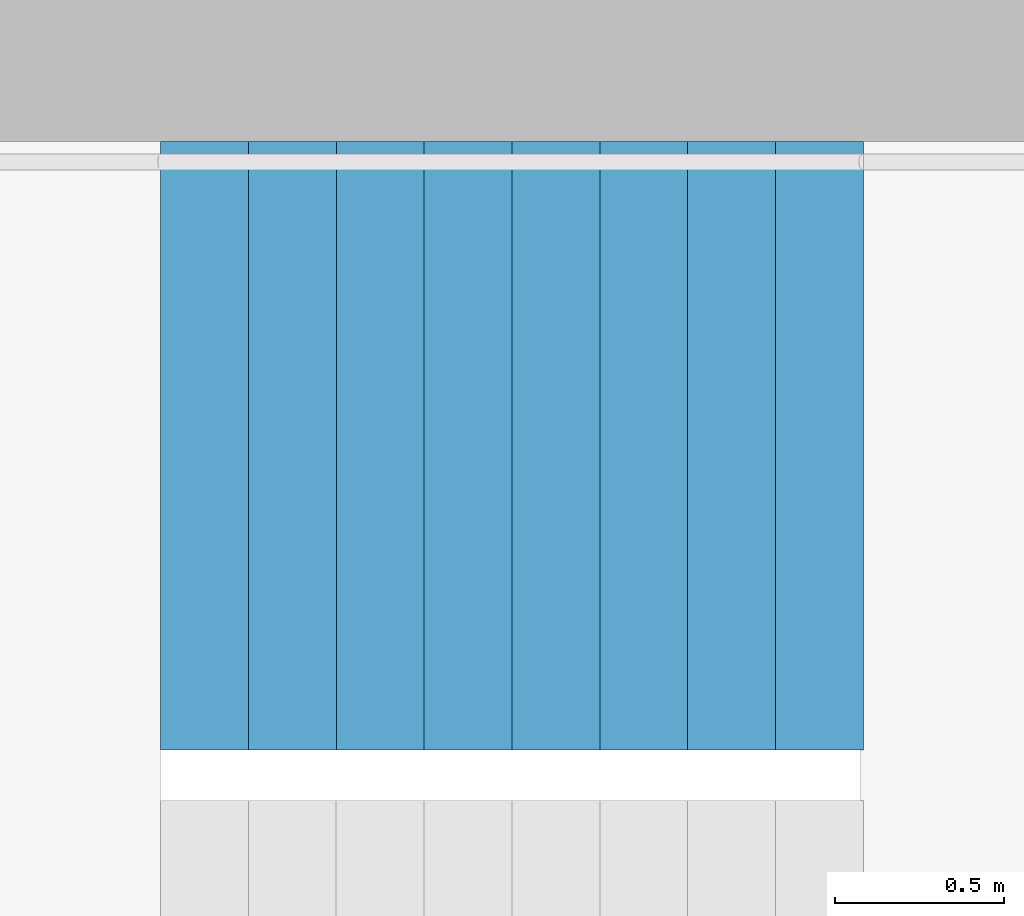
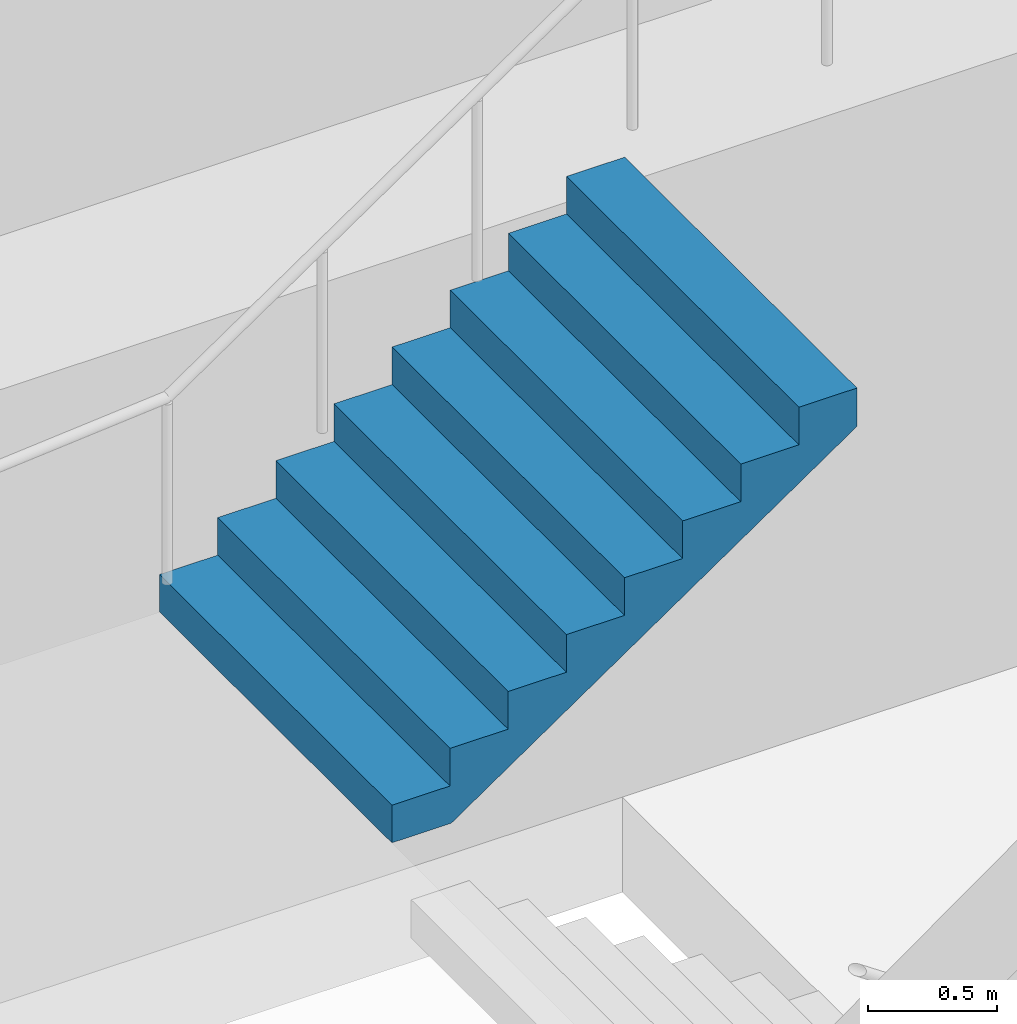
# One storey, part 25 of 26: 1 stair flight, 1 element without a shape of its own.
"""IFC4 building model written with IfcOpenShell, lengths in metres."""

from ifc_helpers import new_model, si_unit, direction, frame, origin, place, context, subcontext, project, spatial, triangles, material, type_object, element, aggregate, save


model = new_model("IFC4")

# Units and contexts
model_context = context("Model", 3, precision=1e-05, world=origin(), true_north=direction((0.0, 1.0)))
body_context = subcontext(model_context, "Body", "Model", "MODEL_VIEW")
ifc_project = project(units=[si_unit("LENGTHUNIT", "METRE"), si_unit("AREAUNIT", "SQUARE_METRE"), si_unit("VOLUMEUNIT", "CUBIC_METRE"), si_unit("PLANEANGLEUNIT", "RADIAN"), si_unit("MASSUNIT", "GRAM", prefix="KILO")], contexts=[model_context])

# Site, building, storey
site_placement = place(None, origin())
site = spatial("IfcSite", under=ifc_project, at=site_placement, CompositionType="ELEMENT")
building_placement = place(site_placement, origin())
building = spatial("IfcBuilding", under=site, at=building_placement, Name="Hakoniwa Tower and Hamabe Station Hall", CompositionType="ELEMENT")
storey_placement = place(building_placement, frame((0.0, 0.0, 172.60009765625)))
storey = spatial("IfcBuildingStorey", under=building, at=storey_placement, Name="L49", CompositionType="ELEMENT", Elevation=172.60009765625)

# Stair, stair flight
ifc_material_1 = material(Name="Concrete C40", Category="concrete")
stair_type = type_object("IfcStairType", Name="ESCAPE STAIR 1800", PredefinedType="HALF_TURN_STAIR", material=ifc_material_1)
stair_placement = place(storey_placement, origin())
stair = element("IfcStair", 1, at=stair_placement, inside=storey, type_object=stair_type, Name="Escape stair ST-3 L49", PredefinedType="HALF_TURN_STAIR")
ifc_material_2 = material(Name="Concrete C40", Category="concrete")
stair_flight_type = type_object("IfcStairFlightType", Name="STAIR FLIGHT 1800", PredefinedType="STRAIGHT", material=ifc_material_2)
stair_flight_placement = place(storey_placement, frame((22.320068359375, 6.60009765625, 1.599853515625), z_axis=(0.0, 0.0, 1.0), x_axis=(1.0, 0.0, 0.0)))
stair_flight = element("IfcStairFlight", 2, at=stair_flight_placement, type_object=stair_flight_type, Name="ST-3 flight 2", NumberOfRisers=9, NumberOfTreads=8, PredefinedType="STRAIGHT", RiserHeight=0.177777778, TreadLength=0.26, context=body_context, shape_type="Tessellation", body=[
    triangles([(0.0, 0.89990234375, 0.0), (0.260009765625, 0.89990234375, 0.0), (0.265625, 0.89990234375, 0.0), (0.52001953125, 0.89990234375, 0.174072265625), (0.780029296875, 0.89990234375, 0.351806640625), (1.0400390625, 0.89990234375, 0.529541015625), (1.300048828125, 0.89990234375, 0.707275390625), (1.56005859375, 0.89990234375, 0.885009765625), (1.820068359375, 0.89990234375, 1.062744140625), (2.080078125, 0.89990234375, 1.24072265625), (2.080078125, 0.89990234375, 1.422119140625), (1.820068359375, 0.89990234375, 1.422119140625), (1.820068359375, 0.89990234375, 1.244384765625), (1.56005859375, 0.89990234375, 1.244384765625), (1.56005859375, 0.89990234375, 1.066650390625), (1.300048828125, 0.89990234375, 1.066650390625), (1.300048828125, 0.89990234375, 0.888916015625), (1.0400390625, 0.89990234375, 0.888916015625), (1.0400390625, 0.89990234375, 0.711181640625), (0.780029296875, 0.89990234375, 0.711181640625), (0.780029296875, 0.89990234375, 0.533447265625), (0.52001953125, 0.89990234375, 0.533447265625), (0.52001953125, 0.89990234375, 0.35546875), (0.265625, 0.89990234375, 0.35546875), (0.260009765625, 0.89990234375, 0.35546875), (0.260009765625, 0.89990234375, 0.177734375), (0.0, 0.89990234375, 0.177734375), (0.0, 0.06005859375, 0.0), (0.260009765625, 0.06005859375, 0.0), (0.265625, 0.06005859375, 0.0), (0.52001953125, 0.06005859375, 0.174072265625), (0.780029296875, 0.06005859375, 0.351806640625), (1.0400390625, 0.06005859375, 0.529541015625), (1.300048828125, 0.06005859375, 0.707275390625), (1.56005859375, 0.06005859375, 0.885009765625), (1.820068359375, 0.06005859375, 1.062744140625), (2.080078125, 0.06005859375, 1.24072265625), (2.080078125, 0.06005859375, 1.422119140625), (1.820068359375, 0.06005859375, 1.422119140625), (1.820068359375, 0.06005859375, 1.244384765625), (1.56005859375, 0.06005859375, 1.244384765625), (1.56005859375, 0.06005859375, 1.066650390625), (1.300048828125, 0.06005859375, 1.066650390625), (1.300048828125, 0.06005859375, 0.888916015625), (1.0400390625, 0.06005859375, 0.888916015625), (1.0400390625, 0.06005859375, 0.711181640625), (0.780029296875, 0.06005859375, 0.711181640625), (0.780029296875, 0.06005859375, 0.533447265625), (0.52001953125, 0.06005859375, 0.533447265625), (0.52001953125, 0.06005859375, 0.35546875), (0.265625, 0.06005859375, 0.35546875), (0.260009765625, 0.06005859375, 0.35546875), (0.260009765625, 0.06005859375, 0.177734375), (0.0, 0.06005859375, 0.177734375), (0.0, 0.04296875, 0.0), (0.260009765625, 0.04296875, 0.0), (0.265625, 0.04296875, 0.0), (0.52001953125, 0.04296875, 0.174072265625), (0.780029296875, 0.04296875, 0.351806640625), (1.0400390625, 0.04296875, 0.529541015625), (1.300048828125, 0.04296875, 0.707275390625), (1.56005859375, 0.04296875, 0.885009765625), (1.820068359375, 0.04296875, 1.062744140625), (2.080078125, 0.04296875, 1.24072265625), (2.080078125, 0.04296875, 1.422119140625), (1.820068359375, 0.04296875, 1.422119140625), (1.820068359375, 0.04296875, 1.244384765625), (1.56005859375, 0.04296875, 1.244384765625), (1.56005859375, 0.04296875, 1.066650390625), (1.300048828125, 0.04296875, 1.066650390625), (1.300048828125, 0.04296875, 0.888916015625), (1.0400390625, 0.04296875, 0.888916015625), (1.0400390625, 0.04296875, 0.711181640625), (0.780029296875, 0.04296875, 0.711181640625), (0.780029296875, 0.04296875, 0.533447265625), (0.52001953125, 0.04296875, 0.533447265625), (0.52001953125, 0.04296875, 0.35546875), (0.265625, 0.04296875, 0.35546875), (0.260009765625, 0.04296875, 0.35546875), (0.260009765625, 0.04296875, 0.177734375), (0.0, 0.04296875, 0.177734375), (0.0, 0.025634765625, 0.0), (0.260009765625, 0.025634765625, 0.0), (0.265625, 0.025634765625, 0.0), (0.52001953125, 0.025634765625, 0.174072265625), (0.780029296875, 0.025634765625, 0.351806640625), (1.0400390625, 0.025634765625, 0.529541015625), (1.300048828125, 0.025634765625, 0.707275390625), (1.56005859375, 0.025634765625, 0.885009765625), (1.820068359375, 0.025634765625, 1.062744140625), (2.080078125, 0.025634765625, 1.24072265625), (2.080078125, 0.025634765625, 1.422119140625), (1.820068359375, 0.025634765625, 1.422119140625), (1.820068359375, 0.025634765625, 1.244384765625), (1.56005859375, 0.025634765625, 1.244384765625), (1.56005859375, 0.025634765625, 1.066650390625), (1.300048828125, 0.025634765625, 1.066650390625), (1.300048828125, 0.025634765625, 0.888916015625), (1.0400390625, 0.025634765625, 0.888916015625), (1.0400390625, 0.025634765625, 0.711181640625), (0.780029296875, 0.025634765625, 0.711181640625), (0.780029296875, 0.025634765625, 0.533447265625), (0.52001953125, 0.025634765625, 0.533447265625), (0.52001953125, 0.025634765625, 0.35546875), (0.265625, 0.025634765625, 0.35546875), (0.260009765625, 0.025634765625, 0.35546875), (0.260009765625, 0.025634765625, 0.177734375), (0.0, 0.025634765625, 0.177734375), (0.0, 0.008544921875, 0.0), (0.260009765625, 0.008544921875, 0.0), (0.265625, 0.008544921875, 0.0), (0.52001953125, 0.008544921875, 0.174072265625), (0.780029296875, 0.008544921875, 0.351806640625), (1.0400390625, 0.008544921875, 0.529541015625), (1.300048828125, 0.008544921875, 0.707275390625), (1.56005859375, 0.008544921875, 0.885009765625), (1.820068359375, 0.008544921875, 1.062744140625), (2.080078125, 0.008544921875, 1.24072265625), (2.080078125, 0.008544921875, 1.422119140625), (1.820068359375, 0.008544921875, 1.422119140625), (1.820068359375, 0.008544921875, 1.244384765625), (1.56005859375, 0.008544921875, 1.244384765625), (1.56005859375, 0.008544921875, 1.066650390625), (1.300048828125, 0.008544921875, 1.066650390625), (1.300048828125, 0.008544921875, 0.888916015625), (1.0400390625, 0.008544921875, 0.888916015625), (1.0400390625, 0.008544921875, 0.711181640625), (0.780029296875, 0.008544921875, 0.711181640625), (0.780029296875, 0.008544921875, 0.533447265625), (0.52001953125, 0.008544921875, 0.533447265625), (0.52001953125, 0.008544921875, 0.35546875), (0.265625, 0.008544921875, 0.35546875), (0.260009765625, 0.008544921875, 0.35546875), (0.260009765625, 0.008544921875, 0.177734375), (0.0, 0.008544921875, 0.177734375), (0.0, -0.008544921875, 0.0), (0.260009765625, -0.008544921875, 0.0), (0.265625, -0.008544921875, 0.0), (0.52001953125, -0.008544921875, 0.174072265625), (0.780029296875, -0.008544921875, 0.351806640625), (1.0400390625, -0.008544921875, 0.529541015625), (1.300048828125, -0.008544921875, 0.707275390625), (1.56005859375, -0.008544921875, 0.885009765625), (1.820068359375, -0.008544921875, 1.062744140625), (2.080078125, -0.008544921875, 1.24072265625), (2.080078125, -0.008544921875, 1.422119140625), (1.820068359375, -0.008544921875, 1.422119140625), (1.820068359375, -0.008544921875, 1.244384765625), (1.56005859375, -0.008544921875, 1.244384765625), (1.56005859375, -0.008544921875, 1.066650390625), (1.300048828125, -0.008544921875, 1.066650390625), (1.300048828125, -0.008544921875, 0.888916015625), (1.0400390625, -0.008544921875, 0.888916015625), (1.0400390625, -0.008544921875, 0.711181640625), (0.780029296875, -0.008544921875, 0.711181640625), (0.780029296875, -0.008544921875, 0.533447265625), (0.52001953125, -0.008544921875, 0.533447265625), (0.52001953125, -0.008544921875, 0.35546875), (0.265625, -0.008544921875, 0.35546875), (0.260009765625, -0.008544921875, 0.35546875), (0.260009765625, -0.008544921875, 0.177734375), (0.0, -0.008544921875, 0.177734375), (0.0, -0.025634765625, 0.0), (0.260009765625, -0.025634765625, 0.0), (0.265625, -0.025634765625, 0.0), (0.52001953125, -0.025634765625, 0.174072265625), (0.780029296875, -0.025634765625, 0.351806640625), (1.0400390625, -0.025634765625, 0.529541015625), (1.300048828125, -0.025634765625, 0.707275390625), (1.56005859375, -0.025634765625, 0.885009765625), (1.820068359375, -0.025634765625, 1.062744140625), (2.080078125, -0.025634765625, 1.24072265625), (2.080078125, -0.025634765625, 1.422119140625), (1.820068359375, -0.025634765625, 1.422119140625), (1.820068359375, -0.025634765625, 1.244384765625), (1.56005859375, -0.025634765625, 1.244384765625), (1.56005859375, -0.025634765625, 1.066650390625), (1.300048828125, -0.025634765625, 1.066650390625), (1.300048828125, -0.025634765625, 0.888916015625), (1.0400390625, -0.025634765625, 0.888916015625), (1.0400390625, -0.025634765625, 0.711181640625), (0.780029296875, -0.025634765625, 0.711181640625), (0.780029296875, -0.025634765625, 0.533447265625), (0.52001953125, -0.025634765625, 0.533447265625), (0.52001953125, -0.025634765625, 0.35546875), (0.265625, -0.025634765625, 0.35546875), (0.260009765625, -0.025634765625, 0.35546875), (0.260009765625, -0.025634765625, 0.177734375), (0.0, -0.025634765625, 0.177734375), (0.0, -0.04296875, 0.0), (0.260009765625, -0.04296875, 0.0), (0.265625, -0.04296875, 0.0), (0.52001953125, -0.04296875, 0.174072265625), (0.780029296875, -0.04296875, 0.351806640625), (1.0400390625, -0.04296875, 0.529541015625), (1.300048828125, -0.04296875, 0.707275390625), (1.56005859375, -0.04296875, 0.885009765625), (1.820068359375, -0.04296875, 1.062744140625), (2.080078125, -0.04296875, 1.24072265625), (2.080078125, -0.04296875, 1.422119140625), (1.820068359375, -0.04296875, 1.422119140625), (1.820068359375, -0.04296875, 1.244384765625), (1.56005859375, -0.04296875, 1.244384765625), (1.56005859375, -0.04296875, 1.066650390625), (1.300048828125, -0.04296875, 1.066650390625), (1.300048828125, -0.04296875, 0.888916015625), (1.0400390625, -0.04296875, 0.888916015625), (1.0400390625, -0.04296875, 0.711181640625), (0.780029296875, -0.04296875, 0.711181640625), (0.780029296875, -0.04296875, 0.533447265625), (0.52001953125, -0.04296875, 0.533447265625), (0.52001953125, -0.04296875, 0.35546875), (0.265625, -0.04296875, 0.35546875), (0.260009765625, -0.04296875, 0.35546875), (0.260009765625, -0.04296875, 0.177734375), (0.0, -0.04296875, 0.177734375), (0.0, -0.06005859375, 0.0), (0.260009765625, -0.06005859375, 0.0), (0.265625, -0.06005859375, 0.0), (0.52001953125, -0.06005859375, 0.174072265625), (0.780029296875, -0.06005859375, 0.351806640625), (1.0400390625, -0.06005859375, 0.529541015625), (1.300048828125, -0.06005859375, 0.707275390625), (1.56005859375, -0.06005859375, 0.885009765625), (1.820068359375, -0.06005859375, 1.062744140625), (2.080078125, -0.06005859375, 1.24072265625), (2.080078125, -0.06005859375, 1.422119140625), (1.820068359375, -0.06005859375, 1.422119140625), (1.820068359375, -0.06005859375, 1.244384765625), (1.56005859375, -0.06005859375, 1.244384765625), (1.56005859375, -0.06005859375, 1.066650390625), (1.300048828125, -0.06005859375, 1.066650390625), (1.300048828125, -0.06005859375, 0.888916015625), (1.0400390625, -0.06005859375, 0.888916015625), (1.0400390625, -0.06005859375, 0.711181640625), (0.780029296875, -0.06005859375, 0.711181640625), (0.780029296875, -0.06005859375, 0.533447265625), (0.52001953125, -0.06005859375, 0.533447265625), (0.52001953125, -0.06005859375, 0.35546875), (0.265625, -0.06005859375, 0.35546875), (0.260009765625, -0.06005859375, 0.35546875), (0.260009765625, -0.06005859375, 0.177734375), (0.0, -0.06005859375, 0.177734375), (0.0, -0.89990234375, 0.0), (0.260009765625, -0.89990234375, 0.0), (0.265625, -0.89990234375, 0.0), (0.52001953125, -0.89990234375, 0.174072265625), (0.780029296875, -0.89990234375, 0.351806640625), (1.0400390625, -0.89990234375, 0.529541015625), (1.300048828125, -0.89990234375, 0.707275390625), (1.56005859375, -0.89990234375, 0.885009765625), (1.820068359375, -0.89990234375, 1.062744140625), (2.080078125, -0.89990234375, 1.24072265625), (2.080078125, -0.89990234375, 1.422119140625), (1.820068359375, -0.89990234375, 1.422119140625), (1.820068359375, -0.89990234375, 1.244384765625), (1.56005859375, -0.89990234375, 1.244384765625), (1.56005859375, -0.89990234375, 1.066650390625), (1.300048828125, -0.89990234375, 1.066650390625), (1.300048828125, -0.89990234375, 0.888916015625), (1.0400390625, -0.89990234375, 0.888916015625), (1.0400390625, -0.89990234375, 0.711181640625), (0.780029296875, -0.89990234375, 0.711181640625), (0.780029296875, -0.89990234375, 0.533447265625), (0.52001953125, -0.89990234375, 0.533447265625), (0.52001953125, -0.89990234375, 0.35546875), (0.265625, -0.89990234375, 0.35546875), (0.260009765625, -0.89990234375, 0.35546875), (0.260009765625, -0.89990234375, 0.177734375), (0.0, -0.89990234375, 0.177734375)], [[2, 27, 26], [245, 269, 270], [2, 1, 27], [245, 270, 244], [3, 25, 24], [246, 267, 268], [3, 26, 25], [246, 268, 269], [3, 2, 26], [246, 269, 245], [4, 24, 23], [247, 266, 267], [4, 3, 24], [247, 267, 246], [5, 22, 21], [248, 264, 265], [5, 23, 22], [248, 265, 266], [5, 4, 23], [248, 266, 247], [6, 20, 19], [249, 262, 263], [6, 21, 20], [249, 263, 264], [6, 5, 21], [249, 264, 248], [7, 18, 17], [250, 260, 261], [7, 19, 18], [250, 261, 262], [7, 6, 19], [250, 262, 249], [8, 16, 15], [251, 258, 259], [8, 17, 16], [251, 259, 260], [8, 7, 17], [251, 260, 250], [9, 14, 13], [252, 256, 257], [9, 15, 14], [252, 257, 258], [9, 8, 15], [252, 258, 251], [10, 12, 11], [253, 254, 255], [10, 13, 12], [253, 255, 256], [10, 9, 13], [253, 256, 252], [1, 2, 29], [1, 29, 28], [28, 29, 56], [28, 56, 55], [55, 56, 83], [55, 83, 82], [82, 83, 110], [82, 110, 109], [109, 110, 137], [109, 137, 136], [136, 137, 164], [136, 164, 163], [163, 164, 191], [163, 191, 190], [190, 191, 218], [190, 218, 217], [217, 218, 245], [217, 245, 244], [2, 3, 30], [2, 30, 29], [29, 30, 57], [29, 57, 56], [56, 57, 84], [56, 84, 83], [83, 84, 111], [83, 111, 110], [110, 111, 138], [110, 138, 137], [137, 138, 165], [137, 165, 164], [164, 165, 192], [164, 192, 191], [191, 192, 219], [191, 219, 218], [218, 219, 246], [218, 246, 245], [3, 4, 31], [3, 31, 30], [30, 31, 58], [30, 58, 57], [57, 58, 85], [57, 85, 84], [84, 85, 112], [84, 112, 111], [111, 112, 139], [111, 139, 138], [138, 139, 166], [138, 166, 165], [165, 166, 193], [165, 193, 192], [192, 193, 220], [192, 220, 219], [219, 220, 247], [219, 247, 246], [4, 5, 32], [4, 32, 31], [31, 32, 59], [31, 59, 58], [58, 59, 86], [58, 86, 85], [85, 86, 113], [85, 113, 112], [112, 113, 140], [112, 140, 139], [139, 140, 167], [139, 167, 166], [166, 167, 194], [166, 194, 193], [193, 194, 221], [193, 221, 220], [220, 221, 248], [220, 248, 247], [5, 6, 33], [5, 33, 32], [32, 33, 60], [32, 60, 59], [59, 60, 87], [59, 87, 86], [86, 87, 114], [86, 114, 113], [113, 114, 141], [113, 141, 140], [140, 141, 168], [140, 168, 167], [167, 168, 195], [167, 195, 194], [194, 195, 222], [194, 222, 221], [221, 222, 249], [221, 249, 248], [6, 7, 34], [6, 34, 33], [33, 34, 61], [33, 61, 60], [60, 61, 88], [60, 88, 87], [87, 88, 115], [87, 115, 114], [114, 115, 142], [114, 142, 141], [141, 142, 169], [141, 169, 168], [168, 169, 196], [168, 196, 195], [195, 196, 223], [195, 223, 222], [222, 223, 250], [222, 250, 249], [7, 8, 35], [7, 35, 34], [34, 35, 62], [34, 62, 61], [61, 62, 89], [61, 89, 88], [88, 89, 116], [88, 116, 115], [115, 116, 143], [115, 143, 142], [142, 143, 170], [142, 170, 169], [169, 170, 197], [169, 197, 196], [196, 197, 224], [196, 224, 223], [223, 224, 251], [223, 251, 250], [8, 9, 36], [8, 36, 35], [35, 36, 63], [35, 63, 62], [62, 63, 90], [62, 90, 89], [89, 90, 117], [89, 117, 116], [116, 117, 144], [116, 144, 143], [143, 144, 171], [143, 171, 170], [170, 171, 198], [170, 198, 197], [197, 198, 225], [197, 225, 224], [224, 225, 252], [224, 252, 251], [9, 10, 37], [9, 37, 36], [36, 37, 64], [36, 64, 63], [63, 64, 91], [63, 91, 90], [90, 91, 118], [90, 118, 117], [117, 118, 145], [117, 145, 144], [144, 145, 172], [144, 172, 171], [171, 172, 199], [171, 199, 198], [198, 199, 226], [198, 226, 225], [225, 226, 253], [225, 253, 252], [10, 11, 38], [10, 38, 37], [37, 38, 65], [37, 65, 64], [64, 65, 92], [64, 92, 91], [91, 92, 119], [91, 119, 118], [118, 119, 146], [118, 146, 145], [145, 146, 173], [145, 173, 172], [172, 173, 200], [172, 200, 199], [199, 200, 227], [199, 227, 226], [226, 227, 254], [226, 254, 253], [11, 12, 39], [11, 39, 38], [38, 39, 66], [38, 66, 65], [65, 66, 93], [65, 93, 92], [92, 93, 120], [92, 120, 119], [119, 120, 147], [119, 147, 146], [146, 147, 174], [146, 174, 173], [173, 174, 201], [173, 201, 200], [200, 201, 228], [200, 228, 227], [227, 228, 255], [227, 255, 254], [12, 13, 40], [12, 40, 39], [39, 40, 67], [39, 67, 66], [66, 67, 94], [66, 94, 93], [93, 94, 121], [93, 121, 120], [120, 121, 148], [120, 148, 147], [147, 148, 175], [147, 175, 174], [174, 175, 202], [174, 202, 201], [201, 202, 229], [201, 229, 228], [228, 229, 256], [228, 256, 255], [13, 14, 41], [13, 41, 40], [40, 41, 68], [40, 68, 67], [67, 68, 95], [67, 95, 94], [94, 95, 122], [94, 122, 121], [121, 122, 149], [121, 149, 148], [148, 149, 176], [148, 176, 175], [175, 176, 203], [175, 203, 202], [202, 203, 230], [202, 230, 229], [229, 230, 257], [229, 257, 256], [14, 15, 42], [14, 42, 41], [41, 42, 69], [41, 69, 68], [68, 69, 96], [68, 96, 95], [95, 96, 123], [95, 123, 122], [122, 123, 150], [122, 150, 149], [149, 150, 177], [149, 177, 176], [176, 177, 204], [176, 204, 203], [203, 204, 231], [203, 231, 230], [230, 231, 258], [230, 258, 257], [15, 16, 43], [15, 43, 42], [42, 43, 70], [42, 70, 69], [69, 70, 97], [69, 97, 96], [96, 97, 124], [96, 124, 123], [123, 124, 151], [123, 151, 150], [150, 151, 178], [150, 178, 177], [177, 178, 205], [177, 205, 204], [204, 205, 232], [204, 232, 231], [231, 232, 259], [231, 259, 258], [16, 17, 44], [16, 44, 43], [43, 44, 71], [43, 71, 70], [70, 71, 98], [70, 98, 97], [97, 98, 125], [97, 125, 124], [124, 125, 152], [124, 152, 151], [151, 152, 179], [151, 179, 178], [178, 179, 206], [178, 206, 205], [205, 206, 233], [205, 233, 232], [232, 233, 260], [232, 260, 259], [17, 18, 45], [17, 45, 44], [44, 45, 72], [44, 72, 71], [71, 72, 99], [71, 99, 98], [98, 99, 126], [98, 126, 125], [125, 126, 153], [125, 153, 152], [152, 153, 180], [152, 180, 179], [179, 180, 207], [179, 207, 206], [206, 207, 234], [206, 234, 233], [233, 234, 261], [233, 261, 260], [18, 19, 46], [18, 46, 45], [45, 46, 73], [45, 73, 72], [72, 73, 100], [72, 100, 99], [99, 100, 127], [99, 127, 126], [126, 127, 154], [126, 154, 153], [153, 154, 181], [153, 181, 180], [180, 181, 208], [180, 208, 207], [207, 208, 235], [207, 235, 234], [234, 235, 262], [234, 262, 261], [19, 20, 47], [19, 47, 46], [46, 47, 74], [46, 74, 73], [73, 74, 101], [73, 101, 100], [100, 101, 128], [100, 128, 127], [127, 128, 155], [127, 155, 154], [154, 155, 182], [154, 182, 181], [181, 182, 209], [181, 209, 208], [208, 209, 236], [208, 236, 235], [235, 236, 263], [235, 263, 262], [20, 21, 48], [20, 48, 47], [47, 48, 75], [47, 75, 74], [74, 75, 102], [74, 102, 101], [101, 102, 129], [101, 129, 128], [128, 129, 156], [128, 156, 155], [155, 156, 183], [155, 183, 182], [182, 183, 210], [182, 210, 209], [209, 210, 237], [209, 237, 236], [236, 237, 264], [236, 264, 263], [21, 22, 49], [21, 49, 48], [48, 49, 76], [48, 76, 75], [75, 76, 103], [75, 103, 102], [102, 103, 130], [102, 130, 129], [129, 130, 157], [129, 157, 156], [156, 157, 184], [156, 184, 183], [183, 184, 211], [183, 211, 210], [210, 211, 238], [210, 238, 237], [237, 238, 265], [237, 265, 264], [22, 23, 50], [22, 50, 49], [49, 50, 77], [49, 77, 76], [76, 77, 104], [76, 104, 103], [103, 104, 131], [103, 131, 130], [130, 131, 158], [130, 158, 157], [157, 158, 185], [157, 185, 184], [184, 185, 212], [184, 212, 211], [211, 212, 239], [211, 239, 238], [238, 239, 266], [238, 266, 265], [23, 24, 51], [23, 51, 50], [50, 51, 78], [50, 78, 77], [77, 78, 105], [77, 105, 104], [104, 105, 132], [104, 132, 131], [131, 132, 159], [131, 159, 158], [158, 159, 186], [158, 186, 185], [185, 186, 213], [185, 213, 212], [212, 213, 240], [212, 240, 239], [239, 240, 267], [239, 267, 266], [24, 25, 52], [24, 52, 51], [51, 52, 79], [51, 79, 78], [78, 79, 106], [78, 106, 105], [105, 106, 133], [105, 133, 132], [132, 133, 160], [132, 160, 159], [159, 160, 187], [159, 187, 186], [186, 187, 214], [186, 214, 213], [213, 214, 241], [213, 241, 240], [240, 241, 268], [240, 268, 267], [25, 26, 53], [25, 53, 52], [52, 53, 80], [52, 80, 79], [79, 80, 107], [79, 107, 106], [106, 107, 134], [106, 134, 133], [133, 134, 161], [133, 161, 160], [160, 161, 188], [160, 188, 187], [187, 188, 215], [187, 215, 214], [214, 215, 242], [214, 242, 241], [241, 242, 269], [241, 269, 268], [26, 27, 54], [26, 54, 53], [53, 54, 81], [53, 81, 80], [80, 81, 108], [80, 108, 107], [107, 108, 135], [107, 135, 134], [134, 135, 162], [134, 162, 161], [161, 162, 189], [161, 189, 188], [188, 189, 216], [188, 216, 215], [215, 216, 243], [215, 243, 242], [242, 243, 270], [242, 270, 269], [27, 1, 28], [27, 28, 54], [54, 28, 55], [54, 55, 81], [81, 55, 82], [81, 82, 108], [108, 82, 109], [108, 109, 135], [135, 109, 136], [135, 136, 162], [162, 136, 163], [162, 163, 189], [189, 163, 190], [189, 190, 216], [216, 190, 217], [216, 217, 243], [243, 217, 244], [243, 244, 270]], closed=True),
])
aggregate(stair, [stair_flight])

save(model, "model.ifc")
